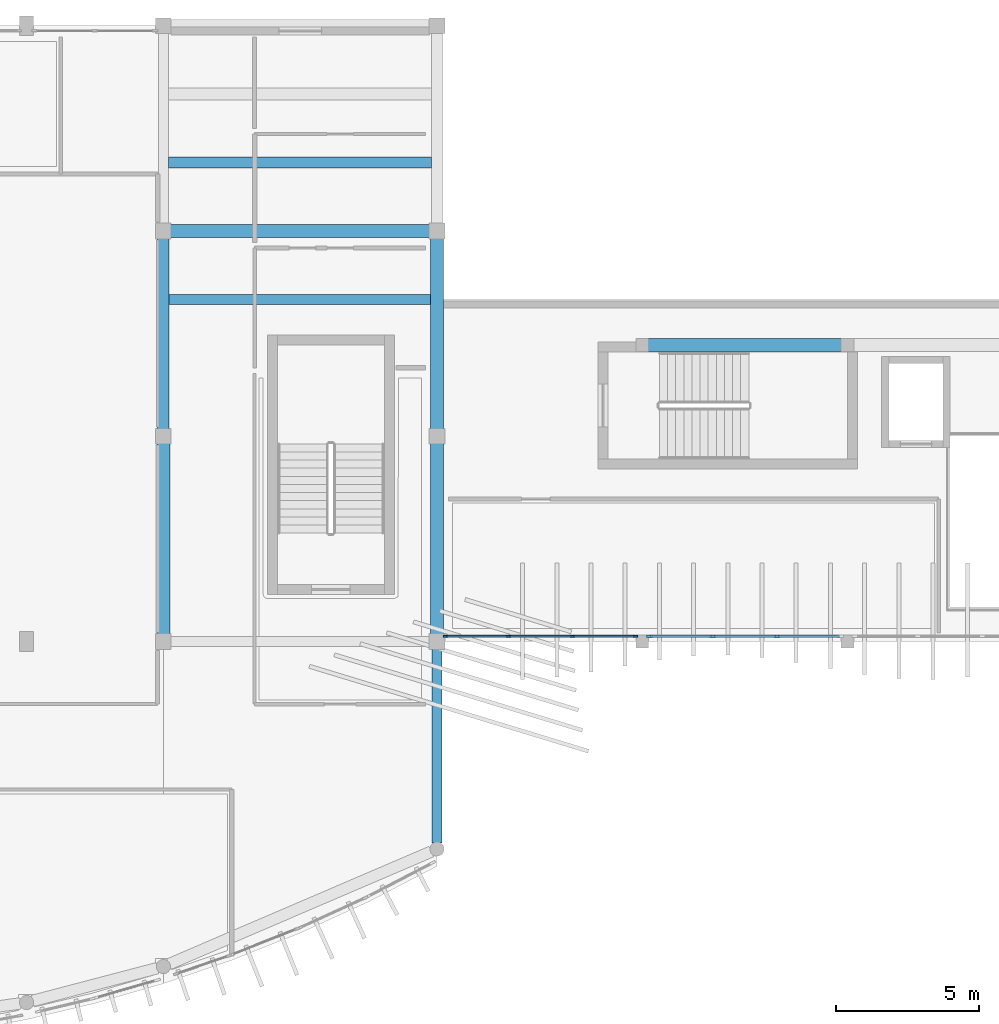
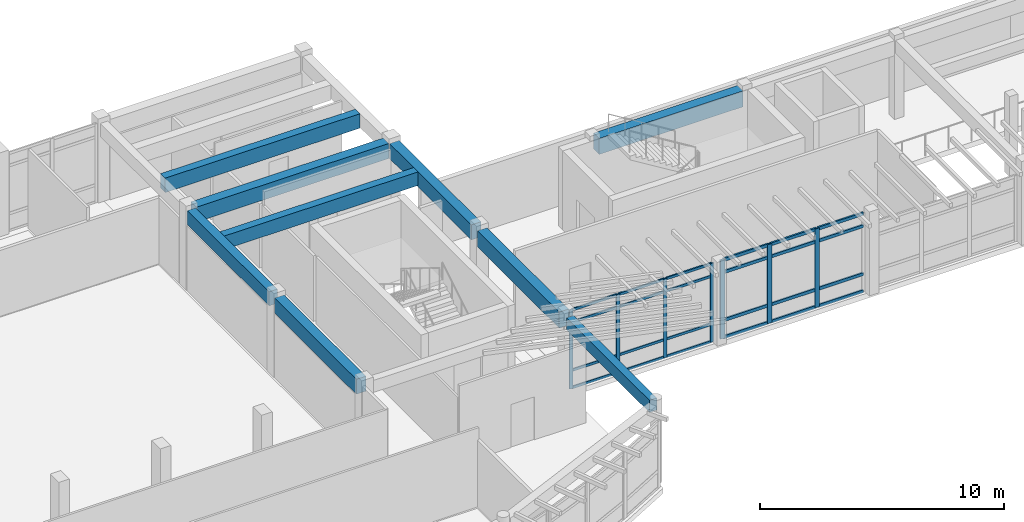
# One storey, part 13 of 60: 31 members, 9 beams, 2 elements without a shape of their own.
"""IFC4 building model written with IfcOpenShell, lengths in metres."""

from ifc_helpers import new_model, si_unit, direction, frame, origin, origin_2d, place, context, subcontext, project, spatial, rectangle, extrude, material, layer, layer_set, material_profile, profile_set, type_object, element, aggregate, save


model = new_model("IFC4")

# Units and contexts
model_context = context("Model", 3, precision=1e-05, world=origin(), true_north=direction((0.0, 1.0)))
body_context = subcontext(model_context, "Body", "Model", "MODEL_VIEW")
ifc_project = project(units=[si_unit("LENGTHUNIT", "METRE"), si_unit("AREAUNIT", "SQUARE_METRE"), si_unit("VOLUMEUNIT", "CUBIC_METRE"), si_unit("PLANEANGLEUNIT", "RADIAN"), si_unit("MASSUNIT", "GRAM", prefix="KILO")], contexts=[model_context])

# Site, building, storey
site_placement = place(None, origin())
site = spatial("IfcSite", under=ifc_project, at=site_placement, CompositionType="ELEMENT")
building_placement = place(site_placement, origin())
building = spatial("IfcBuilding", under=site, at=building_placement, Name="Brisavento Harbour Community Centre", CompositionType="ELEMENT")
storey_placement = place(building_placement, frame((0.0, 0.0, 4.5)))
storey = spatial("IfcBuildingStorey", under=building, at=storey_placement, Name="L01", CompositionType="ELEMENT", Elevation=4.5)

# Beams
ifc_material_1 = material(Name="Concrete C35/45", Category="concrete")
ifc_material_profile_1 = material_profile(ifc_material_1, rectangle(XDim=0.360107421875, YDim=0.679931640625, at=origin_2d()), Name="Concrete C35/45")
ifc_profile_set_1 = profile_set([ifc_material_profile_1], Name="Concrete C35/45")
beam_type_1 = type_object("IfcBeamType", Name="BM-JST-360x680", PredefinedType="JOIST", material=ifc_profile_set_1)
beam_1_placement = place(storey_placement, frame((41.0, 26.39990234375, 3.610107421875), z_axis=(1.0, 0.0, 0.0), x_axis=(0.0, 1.0, 0.0)))
element("IfcBeam", 1, at=beam_1_placement, inside=storey, type_object=beam_type_1, Name="L01 secondary floor joist 0239", PredefinedType="JOIST", context=body_context, shape_type="SweptSolid", body=[
    extrude(rectangle(XDim=0.360107421875, YDim=0.679931640625, at=origin_2d()), origin(), (0.0, 0.0, 1.0), 9.175048828125),
])
ifc_material_profile_2 = material_profile(ifc_material_1, rectangle(XDim=0.3798828125, YDim=0.719970703125, at=origin_2d()), Name="Concrete C35/45")
ifc_profile_set_2 = profile_set([ifc_material_profile_2], Name="Concrete C35/45")
beam_type_2 = type_object("IfcBeamType", Name="BM-JST-380x720", PredefinedType="JOIST", material=ifc_profile_set_2)
beam_2_placement = place(storey_placement, frame((40.97509765625, 31.199951171875, 3.590087890625), z_axis=(1.0, 0.0, 0.0), x_axis=(0.0, 1.0, 0.0)))
element("IfcBeam", 2, at=beam_2_placement, inside=storey, type_object=beam_type_2, Name="L01 secondary floor joist 0240", PredefinedType="JOIST", context=body_context, shape_type="SweptSolid", body=[
    extrude(rectangle(XDim=0.3798828125, YDim=0.719970703125, at=origin_2d()), origin(), (0.0, 0.0, 1.0), 9.224853515625),
])
ifc_material_profile_3 = material_profile(ifc_material_1, rectangle(XDim=0.35009765625, YDim=0.60009765625, at=origin_2d()), Name="Concrete C35/45")
ifc_profile_set_3 = profile_set([ifc_material_profile_3], Name="Concrete C35/45")
beam_type_3 = type_object("IfcBeamType", Name="BM-RC-350x600", PredefinedType="BEAM", material=ifc_profile_set_3)
beam_3_placement = place(storey_placement, frame((50.39990234375, 7.334228515625, 3.64990234375), z_axis=(0.0, 1.0, 0.0), x_axis=(-1.0, 0.0, 0.0)))
element("IfcBeam", 3, at=beam_3_placement, inside=storey, type_object=beam_type_3, Name="L01 primary girder Y0494", PredefinedType="BEAM", context=body_context, shape_type="SweptSolid", body=[
    extrude(rectangle(XDim=0.35009765625, YDim=0.60009765625, at=origin_2d()), origin(), (0.0, 0.0, 1.0), 6.82080078125),
])
ifc_material_profile_4 = material_profile(ifc_material_1, rectangle(XDim=0.39990234375, YDim=0.699951171875, at=origin_2d()), Name="Concrete C35/45")
ifc_profile_set_4 = profile_set([ifc_material_profile_4], Name="Concrete C35/45")
beam_type_4 = type_object("IfcBeamType", Name="BM-RC-400x700", PredefinedType="BEAM", material=ifc_profile_set_4)
beam_4_placement = place(storey_placement, frame((40.800048828125, 21.844970703125, 3.60009765625), z_axis=(0.0, 1.0, 0.0), x_axis=(-1.0, 0.0, 0.0)))
element("IfcBeam", 4, at=beam_4_placement, inside=storey, type_object=beam_type_4, Name="L01 primary girder Y0492", PredefinedType="BEAM", context=body_context, shape_type="SweptSolid", body=[
    extrude(rectangle(XDim=0.39990234375, YDim=0.699951171875, at=origin_2d()), origin(), (0.0, 0.0, 1.0), 6.7099609375),
])
ifc_material_profile_5 = material_profile(ifc_material_1, rectangle(XDim=0.449951171875, YDim=0.75, at=origin_2d()), Name="Concrete C35/45")
ifc_profile_set_5 = profile_set([ifc_material_profile_5], Name="Concrete C35/45")
beam_type_5 = type_object("IfcBeamType", Name="BM-RC-450x750", PredefinedType="BEAM", material=ifc_profile_set_5)
beam_5_placement = place(storey_placement, frame((41.044921875, 28.800048828125, 3.574951171875), z_axis=(1.0, 0.0, 0.0), x_axis=(0.0, 1.0, 0.0)))
element("IfcBeam", 5, at=beam_5_placement, inside=storey, type_object=beam_type_5, Name="L01 primary girder X0441", PredefinedType="BEAM", context=body_context, shape_type="SweptSolid", body=[
    extrude(rectangle(XDim=0.449951171875, YDim=0.75, at=origin_2d()), origin(), (0.0, 0.0, 1.0), 9.110107421875),
])
for number, where, z_axis, x_axis, name in (
    (6, (40.800048828125, 14.64501953125, 3.574951171875), (0.0, 1.0, 0.0), (-1.0, 0.0, 0.0), "L01 primary girder Y0491"),
    (7, (50.39990234375, 21.844970703125, 3.574951171875), (0.0, 1.0, 0.0), (-1.0, 0.0, 0.0), "L01 primary girder Y0496"),
):
    element("IfcBeam", number, at=place(storey_placement, frame(where, z_axis=z_axis, x_axis=x_axis)), inside=storey, type_object=beam_type_5, Name=name, PredefinedType="BEAM", context=body_context, shape_type="SweptSolid", body=[
        extrude(rectangle(XDim=0.449951171875, YDim=0.75, at=origin_2d()), origin(), (0.0, 0.0, 1.0), 6.7099609375),
    ])
ifc_material_profile_6 = material_profile(ifc_material_1, rectangle(XDim=0.449951171875, YDim=0.800048828125, at=origin_2d()), Name="Concrete C35/45")
ifc_profile_set_6 = profile_set([ifc_material_profile_6], Name="Concrete C35/45")
beam_type_6 = type_object("IfcBeamType", Name="BM-RC-450x800", PredefinedType="BEAM", material=ifc_profile_set_6)
beam_6_placement = place(storey_placement, frame((57.794921875, 24.800048828125, 3.550048828125), z_axis=(1.0, 0.0, 0.0), x_axis=(0.0, 1.0, 0.0)))
element("IfcBeam", 8, at=beam_6_placement, inside=storey, type_object=beam_type_6, Name="L01 primary girder X0425", PredefinedType="BEAM", context=body_context, shape_type="SweptSolid", body=[
    extrude(rectangle(XDim=0.449951171875, YDim=0.800048828125, at=origin_2d()), origin(), (0.0, 0.0, 1.0), 6.81005859375),
])
beam_7_placement = place(storey_placement, frame((50.39990234375, 14.64501953125, 3.550048828125), z_axis=(0.0, 1.0, 0.0), x_axis=(-1.0, 0.0, 0.0)))
element("IfcBeam", 9, at=beam_7_placement, inside=storey, type_object=beam_type_6, Name="L01 primary girder Y0495", PredefinedType="BEAM", context=body_context, shape_type="SweptSolid", body=[
    extrude(rectangle(XDim=0.449951171875, YDim=0.800048828125, at=origin_2d()), origin(), (0.0, 0.0, 1.0), 6.7099609375),
])

# Curtain wall, members
ifc_material_2 = material(Name="Marine-anodised aluminium AW-6063-T6", Category="aluminium")
ifc_layer_1 = layer(ifc_material_2, 0.179931640625, Name="Marine-anodised aluminium AW-6063-T6")
ifc_layer_set_1 = layer_set([ifc_layer_1], Name="Marine-anodised aluminium AW-6063-T6")
curtain_wall_type_1 = type_object("IfcCurtainWallType", Name="CW-SYS-01", PredefinedType="USERDEFINED", material=ifc_layer_set_1)
curtain_wall_1_placement = place(storey_placement, origin())
curtain_wall_1 = element("IfcCurtainWall", 10, at=curtain_wall_1_placement, inside=storey, type_object=curtain_wall_type_1, Name="L01 V2 unitised curtain wall 057", ObjectType="UNITISED CURTAIN WALL", PredefinedType="USERDEFINED")
ifc_material_profile_7 = material_profile(ifc_material_2, rectangle(XDim=0.06494140625, YDim=0.1650390625, at=origin_2d()), Name="Marine-anodised aluminium AW-6063-T6")
ifc_profile_set_7 = profile_set([ifc_material_profile_7], Name="Marine-anodised aluminium AW-6063-T6")
member_type_1 = type_object("IfcMemberType", Name="CWM-01", PredefinedType="MULLION", material=ifc_profile_set_7)
member_1_placement = place(storey_placement, frame((57.357421875, 14.580078125, 0.0), z_axis=(0.0, 0.0, 1.0), x_axis=(0.0, -1.0, 0.0)))
member_1 = element("IfcMember", 11, at=member_1_placement, type_object=member_type_1, Name="CW-01 mullion 1", PredefinedType="MULLION", context=body_context, shape_type="SweptSolid", body=[
    extrude(rectangle(XDim=0.06494140625, YDim=0.1650390625, at=origin_2d()), origin(), (0.0, 0.0, 1.0), 3.949951171875),
])
member_2_placement = place(storey_placement, frame((55.146728515625, 14.580078125, 0.0), z_axis=(0.0, 0.0, 1.0), x_axis=(0.0, -1.0, 0.0)))
member_2 = element("IfcMember", 12, at=member_2_placement, type_object=member_type_1, Name="CW-01 mullion 2", PredefinedType="MULLION", context=body_context, shape_type="SweptSolid", body=[
    extrude(rectangle(XDim=0.06494140625, YDim=0.1650390625, at=origin_2d()), origin(), (0.0, 0.0, 1.0), 3.949951171875),
])
member_3_placement = place(storey_placement, frame((52.9033203125, 14.580078125, 0.0), z_axis=(0.0, 0.0, 1.0), x_axis=(0.0, -1.0, 0.0)))
member_3 = element("IfcMember", 13, at=member_3_placement, type_object=member_type_1, Name="CW-01 mullion 3", PredefinedType="MULLION", context=body_context, shape_type="SweptSolid", body=[
    extrude(rectangle(XDim=0.06494140625, YDim=0.1650390625, at=origin_2d()), origin(), (0.0, 0.0, 1.0), 3.949951171875),
])
member_4_placement = place(storey_placement, frame((50.6923828125, 14.580078125, 0.0), z_axis=(0.0, 0.0, 1.0), x_axis=(0.0, -1.0, 0.0)))
member_4 = element("IfcMember", 14, at=member_4_placement, type_object=member_type_1, Name="CW-01 mullion 4", PredefinedType="MULLION", context=body_context, shape_type="SweptSolid", body=[
    extrude(rectangle(XDim=0.06494140625, YDim=0.1650390625, at=origin_2d()), origin(), (0.0, 0.0, 1.0), 3.949951171875),
])

ifc_layer_2 = layer(ifc_material_2, 0.179931640625, Name="Marine-anodised aluminium AW-6063-T6")
ifc_layer_set_2 = layer_set([ifc_layer_2], Name="Marine-anodised aluminium AW-6063-T6")
curtain_wall_type_2 = type_object("IfcCurtainWallType", Name="CW-SYS-28", PredefinedType="USERDEFINED", material=ifc_layer_set_2)
curtain_wall_2_placement = place(storey_placement, origin())
curtain_wall_2 = element("IfcCurtainWall", 15, at=curtain_wall_2_placement, inside=storey, type_object=curtain_wall_type_2, Name="L01 V2 unitised curtain wall 056", ObjectType="UNITISED CURTAIN WALL", PredefinedType="USERDEFINED")
ifc_material_profile_8 = material_profile(ifc_material_2, rectangle(XDim=0.080078125, YDim=0.2099609375, at=origin_2d()), Name="Marine-anodised aluminium AW-6063-T6")
ifc_profile_set_8 = profile_set([ifc_material_profile_8], Name="Marine-anodised aluminium AW-6063-T6")
member_type_2 = type_object("IfcMemberType", Name="CWM-04", PredefinedType="MULLION", material=ifc_profile_set_8)
member_5_placement = place(storey_placement, frame((62.330078125, 14.580078125, 0.0), z_axis=(0.0, 0.0, 1.0), x_axis=(0.0, -1.0, 0.0)))
member_5 = element("IfcMember", 16, at=member_5_placement, type_object=member_type_2, Name="CW-28 mullion 2", PredefinedType="MULLION", context=body_context, shape_type="SweptSolid", body=[
    extrude(rectangle(XDim=0.080078125, YDim=0.2099609375, at=origin_2d()), origin(), (0.0, 0.0, 1.0), 3.949951171875),
])
member_6_placement = place(storey_placement, frame((60.070068359375, 14.580078125, 0.0), z_axis=(0.0, 0.0, 1.0), x_axis=(0.0, -1.0, 0.0)))
member_6 = element("IfcMember", 17, at=member_6_placement, type_object=member_type_2, Name="CW-28 mullion 3", PredefinedType="MULLION", context=body_context, shape_type="SweptSolid", body=[
    extrude(rectangle(XDim=0.080078125, YDim=0.2099609375, at=origin_2d()), origin(), (0.0, 0.0, 1.0), 3.949951171875),
])
member_7_placement = place(storey_placement, frame((57.85009765625, 14.580078125, 0.0), z_axis=(0.0, 0.0, 1.0), x_axis=(0.0, -1.0, 0.0)))
member_7 = element("IfcMember", 18, at=member_7_placement, type_object=member_type_2, Name="CW-28 mullion 4", PredefinedType="MULLION", context=body_context, shape_type="SweptSolid", body=[
    extrude(rectangle(XDim=0.080078125, YDim=0.2099609375, at=origin_2d()), origin(), (0.0, 0.0, 1.0), 3.949951171875),
])

# Member
ifc_material_profile_9 = material_profile(ifc_material_2, rectangle(XDim=0.06494140625, YDim=0.125, at=origin_2d()), Name="Marine-anodised aluminium AW-6063-T6")
ifc_profile_set_9 = profile_set([ifc_material_profile_9], Name="Marine-anodised aluminium AW-6063-T6")
member_type_3 = type_object("IfcMemberType", Name="CWT-01", PredefinedType="USERDEFINED", material=ifc_profile_set_9)
member_8_placement = place(storey_placement, frame((57.324951171875, 14.580078125, 0.032470703125), z_axis=(-1.0, 0.0, 0.0), x_axis=(0.0, -1.0, 0.0)))
member_8 = element("IfcMember", 19, at=member_8_placement, type_object=member_type_3, Name="CW-01 transom 1.1", ObjectType="TRANSOM", PredefinedType="USERDEFINED", context=body_context, shape_type="SweptSolid", body=[
    extrude(rectangle(XDim=0.06494140625, YDim=0.125, at=origin_2d()), origin(), (0.0, 0.0, 1.0), 2.145751953125),
])

member_9_placement = place(storey_placement, frame((57.324951171875, 14.580078125, 0.89990234375), z_axis=(-1.0, 0.0, 0.0), x_axis=(0.0, -1.0, 0.0)))
member_9 = element("IfcMember", 20, at=member_9_placement, type_object=member_type_3, Name="CW-01 transom 1.2", ObjectType="TRANSOM", PredefinedType="USERDEFINED", context=body_context, shape_type="SweptSolid", body=[
    extrude(rectangle(XDim=0.06494140625, YDim=0.125, at=origin_2d()), origin(), (0.0, 0.0, 1.0), 2.145751953125),
])

member_10_placement = place(storey_placement, frame((57.324951171875, 14.580078125, 3.300048828125), z_axis=(-1.0, 0.0, 0.0), x_axis=(0.0, -1.0, 0.0)))
member_10 = element("IfcMember", 21, at=member_10_placement, type_object=member_type_3, Name="CW-01 transom 1.3", ObjectType="TRANSOM", PredefinedType="USERDEFINED", context=body_context, shape_type="SweptSolid", body=[
    extrude(rectangle(XDim=0.06494140625, YDim=0.125, at=origin_2d()), origin(), (0.0, 0.0, 1.0), 2.145751953125),
])

member_11_placement = place(storey_placement, frame((57.324951171875, 14.580078125, 3.91748046875), z_axis=(-1.0, 0.0, 0.0), x_axis=(0.0, -1.0, 0.0)))
member_11 = element("IfcMember", 22, at=member_11_placement, type_object=member_type_3, Name="CW-01 transom 1.4", ObjectType="TRANSOM", PredefinedType="USERDEFINED", context=body_context, shape_type="SweptSolid", body=[
    extrude(rectangle(XDim=0.06494140625, YDim=0.125, at=origin_2d()), origin(), (0.0, 0.0, 1.0), 2.145751953125),
])

member_12_placement = place(storey_placement, frame((55.1142578125, 14.580078125, 0.032470703125), z_axis=(-1.0, 0.0, 0.0), x_axis=(0.0, -1.0, 0.0)))
member_12 = element("IfcMember", 23, at=member_12_placement, type_object=member_type_3, Name="CW-01 transom 2.1", ObjectType="TRANSOM", PredefinedType="USERDEFINED", context=body_context, shape_type="SweptSolid", body=[
    extrude(rectangle(XDim=0.06494140625, YDim=0.125, at=origin_2d()), origin(), (0.0, 0.0, 1.0), 2.178466796875),
])

member_13_placement = place(storey_placement, frame((55.1142578125, 14.580078125, 0.89990234375), z_axis=(-1.0, 0.0, 0.0), x_axis=(0.0, -1.0, 0.0)))
member_13 = element("IfcMember", 24, at=member_13_placement, type_object=member_type_3, Name="CW-01 transom 2.2", ObjectType="TRANSOM", PredefinedType="USERDEFINED", context=body_context, shape_type="SweptSolid", body=[
    extrude(rectangle(XDim=0.06494140625, YDim=0.125, at=origin_2d()), origin(), (0.0, 0.0, 1.0), 2.178466796875),
])

member_14_placement = place(storey_placement, frame((55.1142578125, 14.580078125, 3.300048828125), z_axis=(-1.0, 0.0, 0.0), x_axis=(0.0, -1.0, 0.0)))
member_14 = element("IfcMember", 25, at=member_14_placement, type_object=member_type_3, Name="CW-01 transom 2.3", ObjectType="TRANSOM", PredefinedType="USERDEFINED", context=body_context, shape_type="SweptSolid", body=[
    extrude(rectangle(XDim=0.06494140625, YDim=0.125, at=origin_2d()), origin(), (0.0, 0.0, 1.0), 2.178466796875),
])

member_15_placement = place(storey_placement, frame((55.1142578125, 14.580078125, 3.91748046875), z_axis=(-1.0, 0.0, 0.0), x_axis=(0.0, -1.0, 0.0)))
member_15 = element("IfcMember", 26, at=member_15_placement, type_object=member_type_3, Name="CW-01 transom 2.4", ObjectType="TRANSOM", PredefinedType="USERDEFINED", context=body_context, shape_type="SweptSolid", body=[
    extrude(rectangle(XDim=0.06494140625, YDim=0.125, at=origin_2d()), origin(), (0.0, 0.0, 1.0), 2.178466796875),
])

member_16_placement = place(storey_placement, frame((52.870849609375, 14.580078125, 0.032470703125), z_axis=(-1.0, 0.0, 0.0), x_axis=(0.0, -1.0, 0.0)))
member_16 = element("IfcMember", 27, at=member_16_placement, type_object=member_type_3, Name="CW-01 transom 3.1", ObjectType="TRANSOM", PredefinedType="USERDEFINED", context=body_context, shape_type="SweptSolid", body=[
    extrude(rectangle(XDim=0.06494140625, YDim=0.125, at=origin_2d()), origin(), (0.0, 0.0, 1.0), 2.145751953125),
])

member_17_placement = place(storey_placement, frame((52.870849609375, 14.580078125, 0.89990234375), z_axis=(-1.0, 0.0, 0.0), x_axis=(0.0, -1.0, 0.0)))
member_17 = element("IfcMember", 28, at=member_17_placement, type_object=member_type_3, Name="CW-01 transom 3.2", ObjectType="TRANSOM", PredefinedType="USERDEFINED", context=body_context, shape_type="SweptSolid", body=[
    extrude(rectangle(XDim=0.06494140625, YDim=0.125, at=origin_2d()), origin(), (0.0, 0.0, 1.0), 2.145751953125),
])

member_18_placement = place(storey_placement, frame((52.870849609375, 14.580078125, 3.300048828125), z_axis=(-1.0, 0.0, 0.0), x_axis=(0.0, -1.0, 0.0)))
member_18 = element("IfcMember", 29, at=member_18_placement, type_object=member_type_3, Name="CW-01 transom 3.3", ObjectType="TRANSOM", PredefinedType="USERDEFINED", context=body_context, shape_type="SweptSolid", body=[
    extrude(rectangle(XDim=0.06494140625, YDim=0.125, at=origin_2d()), origin(), (0.0, 0.0, 1.0), 2.145751953125),
])

member_19_placement = place(storey_placement, frame((52.870849609375, 14.580078125, 3.91748046875), z_axis=(-1.0, 0.0, 0.0), x_axis=(0.0, -1.0, 0.0)))
member_19 = element("IfcMember", 30, at=member_19_placement, type_object=member_type_3, Name="CW-01 transom 3.4", ObjectType="TRANSOM", PredefinedType="USERDEFINED", context=body_context, shape_type="SweptSolid", body=[
    extrude(rectangle(XDim=0.06494140625, YDim=0.125, at=origin_2d()), origin(), (0.0, 0.0, 1.0), 2.145751953125),
])

aggregate(curtain_wall_1, [member_1, member_2, member_3, member_4, member_8, member_9, member_10, member_11, member_12, member_13, member_14, member_15, member_16, member_17, member_18, member_19])

ifc_material_profile_10 = material_profile(ifc_material_2, rectangle(XDim=0.080078125, YDim=0.155029296875, at=origin_2d()), Name="Marine-anodised aluminium AW-6063-T6")
ifc_profile_set_10 = profile_set([ifc_material_profile_10], Name="Marine-anodised aluminium AW-6063-T6")
member_type_4 = type_object("IfcMemberType", Name="CWT-04", PredefinedType="USERDEFINED", material=ifc_profile_set_10)
member_20_placement = place(storey_placement, frame((64.510009765625, 14.580078125, 0.0400390625), z_axis=(-1.0, 0.0, 0.0), x_axis=(0.0, -1.0, 0.0)))
member_20 = element("IfcMember", 31, at=member_20_placement, type_object=member_type_4, Name="CW-28 transom 1.1", ObjectType="TRANSOM", PredefinedType="USERDEFINED", context=body_context, shape_type="SweptSolid", body=[
    extrude(rectangle(XDim=0.080078125, YDim=0.155029296875, at=origin_2d()), origin(), (0.0, 0.0, 1.0), 2.139892578125),
])

member_21_placement = place(storey_placement, frame((64.510009765625, 14.580078125, 0.89990234375), z_axis=(-1.0, 0.0, 0.0), x_axis=(0.0, -1.0, 0.0)))
member_21 = element("IfcMember", 32, at=member_21_placement, type_object=member_type_4, Name="CW-28 transom 1.2", ObjectType="TRANSOM", PredefinedType="USERDEFINED", context=body_context, shape_type="SweptSolid", body=[
    extrude(rectangle(XDim=0.080078125, YDim=0.155029296875, at=origin_2d()), origin(), (0.0, 0.0, 1.0), 2.139892578125),
])

member_22_placement = place(storey_placement, frame((64.510009765625, 14.580078125, 3.300048828125), z_axis=(-1.0, 0.0, 0.0), x_axis=(0.0, -1.0, 0.0)))
member_22 = element("IfcMember", 33, at=member_22_placement, type_object=member_type_4, Name="CW-28 transom 1.3", ObjectType="TRANSOM", PredefinedType="USERDEFINED", context=body_context, shape_type="SweptSolid", body=[
    extrude(rectangle(XDim=0.080078125, YDim=0.155029296875, at=origin_2d()), origin(), (0.0, 0.0, 1.0), 2.139892578125),
])

member_23_placement = place(storey_placement, frame((64.510009765625, 14.580078125, 3.909912109375), z_axis=(-1.0, 0.0, 0.0), x_axis=(0.0, -1.0, 0.0)))
member_23 = element("IfcMember", 34, at=member_23_placement, type_object=member_type_4, Name="CW-28 transom 1.4", ObjectType="TRANSOM", PredefinedType="USERDEFINED", context=body_context, shape_type="SweptSolid", body=[
    extrude(rectangle(XDim=0.080078125, YDim=0.155029296875, at=origin_2d()), origin(), (0.0, 0.0, 1.0), 2.139892578125),
])

member_24_placement = place(storey_placement, frame((62.2900390625, 14.580078125, 0.0400390625), z_axis=(-1.0, 0.0, 0.0), x_axis=(0.0, -1.0, 0.0)))
member_24 = element("IfcMember", 35, at=member_24_placement, type_object=member_type_4, Name="CW-28 transom 2.1", ObjectType="TRANSOM", PredefinedType="USERDEFINED", context=body_context, shape_type="SweptSolid", body=[
    extrude(rectangle(XDim=0.080078125, YDim=0.155029296875, at=origin_2d()), origin(), (0.0, 0.0, 1.0), 2.179931640625),
])

member_25_placement = place(storey_placement, frame((62.2900390625, 14.580078125, 0.89990234375), z_axis=(-1.0, 0.0, 0.0), x_axis=(0.0, -1.0, 0.0)))
member_25 = element("IfcMember", 36, at=member_25_placement, type_object=member_type_4, Name="CW-28 transom 2.2", ObjectType="TRANSOM", PredefinedType="USERDEFINED", context=body_context, shape_type="SweptSolid", body=[
    extrude(rectangle(XDim=0.080078125, YDim=0.155029296875, at=origin_2d()), origin(), (0.0, 0.0, 1.0), 2.179931640625),
])

member_26_placement = place(storey_placement, frame((62.2900390625, 14.580078125, 3.300048828125), z_axis=(-1.0, 0.0, 0.0), x_axis=(0.0, -1.0, 0.0)))
member_26 = element("IfcMember", 37, at=member_26_placement, type_object=member_type_4, Name="CW-28 transom 2.3", ObjectType="TRANSOM", PredefinedType="USERDEFINED", context=body_context, shape_type="SweptSolid", body=[
    extrude(rectangle(XDim=0.080078125, YDim=0.155029296875, at=origin_2d()), origin(), (0.0, 0.0, 1.0), 2.179931640625),
])

member_27_placement = place(storey_placement, frame((62.2900390625, 14.580078125, 3.909912109375), z_axis=(-1.0, 0.0, 0.0), x_axis=(0.0, -1.0, 0.0)))
member_27 = element("IfcMember", 38, at=member_27_placement, type_object=member_type_4, Name="CW-28 transom 2.4", ObjectType="TRANSOM", PredefinedType="USERDEFINED", context=body_context, shape_type="SweptSolid", body=[
    extrude(rectangle(XDim=0.080078125, YDim=0.155029296875, at=origin_2d()), origin(), (0.0, 0.0, 1.0), 2.179931640625),
])

member_28_placement = place(storey_placement, frame((60.030029296875, 14.580078125, 0.0400390625), z_axis=(-1.0, 0.0, 0.0), x_axis=(0.0, -1.0, 0.0)))
member_28 = element("IfcMember", 39, at=member_28_placement, type_object=member_type_4, Name="CW-28 transom 3.1", ObjectType="TRANSOM", PredefinedType="USERDEFINED", context=body_context, shape_type="SweptSolid", body=[
    extrude(rectangle(XDim=0.080078125, YDim=0.155029296875, at=origin_2d()), origin(), (0.0, 0.0, 1.0), 2.14013671875),
])

member_29_placement = place(storey_placement, frame((60.030029296875, 14.580078125, 0.89990234375), z_axis=(-1.0, 0.0, 0.0), x_axis=(0.0, -1.0, 0.0)))
member_29 = element("IfcMember", 40, at=member_29_placement, type_object=member_type_4, Name="CW-28 transom 3.2", ObjectType="TRANSOM", PredefinedType="USERDEFINED", context=body_context, shape_type="SweptSolid", body=[
    extrude(rectangle(XDim=0.080078125, YDim=0.155029296875, at=origin_2d()), origin(), (0.0, 0.0, 1.0), 2.14013671875),
])

member_30_placement = place(storey_placement, frame((60.030029296875, 14.580078125, 3.300048828125), z_axis=(-1.0, 0.0, 0.0), x_axis=(0.0, -1.0, 0.0)))
member_30 = element("IfcMember", 41, at=member_30_placement, type_object=member_type_4, Name="CW-28 transom 3.3", ObjectType="TRANSOM", PredefinedType="USERDEFINED", context=body_context, shape_type="SweptSolid", body=[
    extrude(rectangle(XDim=0.080078125, YDim=0.155029296875, at=origin_2d()), origin(), (0.0, 0.0, 1.0), 2.14013671875),
])

member_31_placement = place(storey_placement, frame((60.030029296875, 14.580078125, 3.909912109375), z_axis=(-1.0, 0.0, 0.0), x_axis=(0.0, -1.0, 0.0)))
member_31 = element("IfcMember", 42, at=member_31_placement, type_object=member_type_4, Name="CW-28 transom 3.4", ObjectType="TRANSOM", PredefinedType="USERDEFINED", context=body_context, shape_type="SweptSolid", body=[
    extrude(rectangle(XDim=0.080078125, YDim=0.155029296875, at=origin_2d()), origin(), (0.0, 0.0, 1.0), 2.14013671875),
])

aggregate(curtain_wall_2, [member_5, member_6, member_7, member_20, member_21, member_22, member_23, member_24, member_25, member_26, member_27, member_28, member_29, member_30, member_31])

save(model, "model.ifc")
